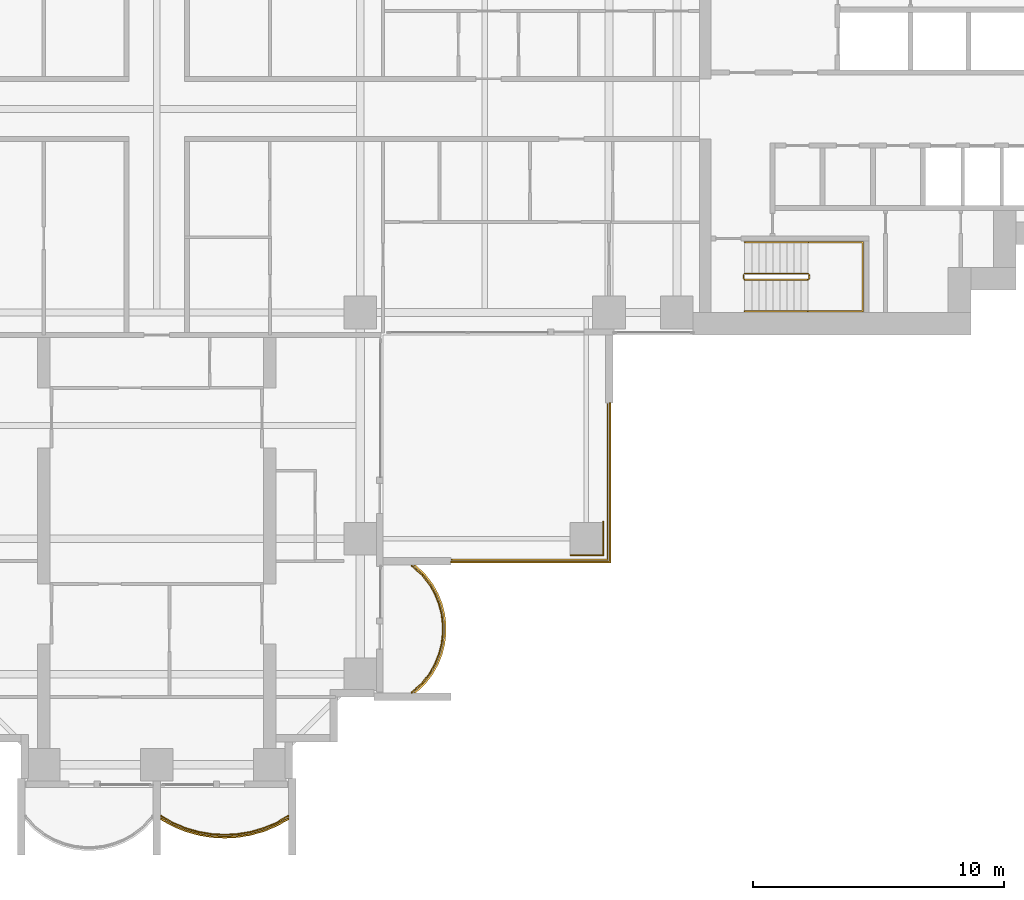
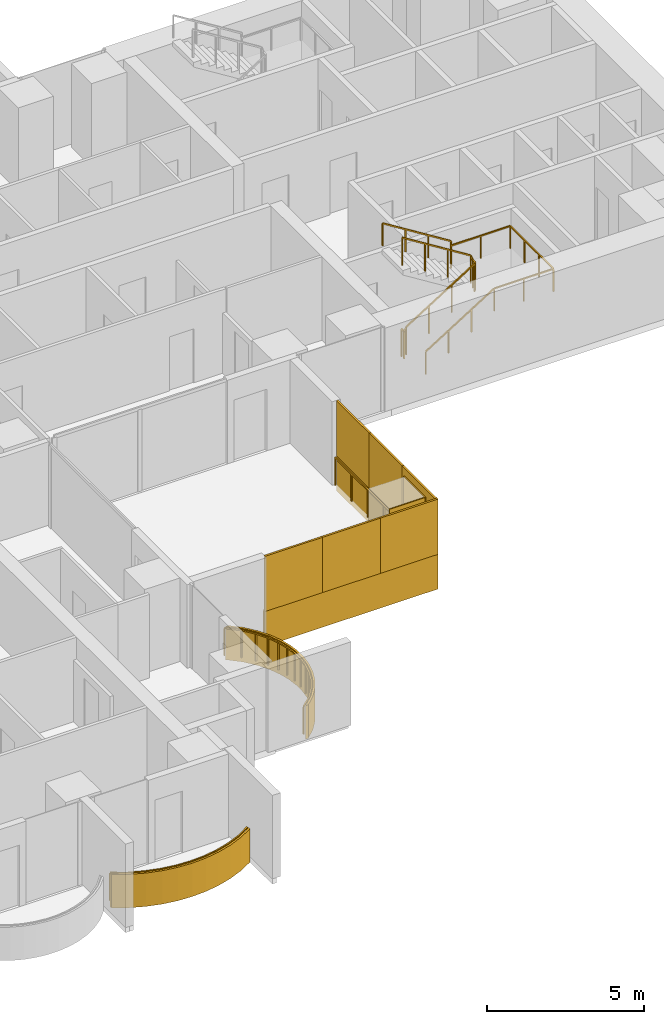
# One storey, part 18 of 20: 11 coverings, 5 railings.
"""IFC4 building model written with IfcOpenShell, lengths in metres."""

from ifc_helpers import new_model, si_unit, direction, frame, origin, origin_2d, place, context, subcontext, project, spatial, polyline, rectangle, outline, extrude, material, layer, layer_set, type_object, element, save


model = new_model("IFC4")

# Units and contexts
model_context = context("Model", 3, precision=1e-05, world=origin(), true_north=direction((0.0, 1.0)))
body_context = subcontext(model_context, "Body", "Model", "MODEL_VIEW")
ifc_project = project(units=[si_unit("LENGTHUNIT", "METRE"), si_unit("AREAUNIT", "SQUARE_METRE"), si_unit("VOLUMEUNIT", "CUBIC_METRE"), si_unit("PLANEANGLEUNIT", "RADIAN"), si_unit("MASSUNIT", "GRAM", prefix="KILO")], contexts=[model_context])

# Site, building, storey
site_placement = place(None, origin())
site = spatial("IfcSite", under=ifc_project, at=site_placement, CompositionType="ELEMENT")
building_placement = place(site_placement, origin())
building = spatial("IfcBuilding", under=site, at=building_placement, Name="Perihelion Cross Residences", CompositionType="ELEMENT")
storey_placement = place(building_placement, frame((0.0, 0.0, 78.5)))
storey = spatial("IfcBuildingStorey", under=building, at=storey_placement, Name="L17", CompositionType="ELEMENT", Elevation=78.5)

# Coverings
ifc_material_1 = material(Name="Bronze anodised aluminium", Category="aluminium")
ifc_layer_1 = layer(ifc_material_1, 0.070068359375)
ifc_layer_set_1 = layer_set([ifc_layer_1], Name="Balcony fascia 1300")
covering_type_1 = type_object("IfcCoveringType", Name="Balcony fascia 1300", PredefinedType="CLADDING", material=ifc_layer_set_1)
covering_1_placement = place(storey_placement, frame((0.0, 0.0, -0.199951171875)))
element("IfcCovering", 1, at=covering_1_placement, inside=storey, type_object=covering_type_1, Name="Fascia BF1 L17 south tip south bay 2", PredefinedType="CLADDING", context=body_context, shape_type="SweptSolid", body=[
    extrude(outline(polyline([(0.629638671875, -28.54833984375), (1.147216796875, -28.7607421875), (1.664794921875, -28.906494140625), (2.182373046875, -28.991943359375), (2.699951171875, -29.02001953125), (3.217529296875, -28.991943359375), (3.735107421875, -28.906494140625), (4.2529296875, -28.7607421875), (4.7705078125, -28.54833984375), (5.25, -28.2802734375), (5.25, -28.199951171875), (4.739990234375, -28.4853515625), (4.22998046875, -28.694580078125), (3.719970703125, -28.838134765625), (3.2099609375, -28.92236328125), (2.699951171875, -28.949951171875), (2.18994140625, -28.92236328125), (1.679931640625, -28.838134765625), (1.169921875, -28.694580078125), (0.659912109375, -28.4853515625), (0.14990234375, -28.199951171875), (0.14990234375, -28.2802734375), (0.629638671875, -28.54833984375)])), origin(), (0.0, 0.0, 1.0), 1.300048828125),
])
covering_2_placement = place(storey_placement, frame((0.0, 0.0, -0.199951171875)))
element("IfcCovering", 2, at=covering_2_placement, inside=storey, type_object=covering_type_1, Name="Fascia BF1 L17 south side east bay 1", PredefinedType="CLADDING", context=body_context, shape_type="SweptSolid", body=[
    extrude(outline(polyline([(10.674072265625, -22.90478515625), (10.982666015625, -22.50390625), (11.20654296875, -22.10302734375), (11.364013671875, -21.7021484375), (11.464599609375, -21.30126953125), (11.513916015625, -20.900390625), (11.513916015625, -20.49951171875), (11.464599609375, -20.0986328125), (11.364013671875, -19.69775390625), (11.20654296875, -19.296875), (10.982666015625, -18.89599609375), (10.674072265625, -18.4951171875), (10.302734375, -18.14990234375), (10.199951171875, -18.14990234375), (10.622314453125, -18.542236328125), (10.924072265625, -18.9345703125), (11.143310546875, -19.326904296875), (11.29736328125, -19.71923828125), (11.39599609375, -20.111572265625), (11.444091796875, -20.50390625), (11.444091796875, -20.896240234375), (11.39599609375, -21.28857421875), (11.29736328125, -21.6806640625), (11.143310546875, -22.072998046875), (10.924072265625, -22.46533203125), (10.622314453125, -22.857666015625), (10.199951171875, -23.25), (10.302734375, -23.25), (10.674072265625, -22.90478515625)])), origin(), (0.0, 0.0, 1.0), 1.300048828125),
])

# Railings
ifc_material_2 = material(Name="Bronze anodised aluminium", Category="aluminium")
railing_type_1 = type_object("IfcRailingType", Name="Balcony guard 1100", PredefinedType="GUARDRAIL", material=ifc_material_2)
railing_1_placement = place(storey_placement, frame((0.175048828125, -28.139892578125, 0.0)))
element("IfcRailing", 3, at=railing_1_placement, inside=storey, type_object=railing_type_1, Name="Guard GU1 L17 south tip south bay 2 balcony", PredefinedType="GUARDRAIL", context=body_context, shape_type="SweptSolid", body=[
    extrude(rectangle(XDim=0.048095703125, YDim=0.048095703125, at=origin_2d()), frame((0.0, 0.0, 1.076171875), z_axis=(0.861789164031, -0.507266632806, 0.0), x_axis=(0.507266632806, 0.861789164031, 0.0)), (0.0, 0.0, 1.0), 0.562744140625),
    extrude(rectangle(XDim=0.048095703125, YDim=0.048095703125, at=origin_2d()), frame((0.48486328125, -0.285400390625, 1.076171875), z_axis=(0.925172605972, -0.379546636342, 0.0), x_axis=(0.379546636342, 0.925172605972, 0.0)), (0.0, 0.0, 1.0), 0.55126953125),
    extrude(rectangle(XDim=0.048095703125, YDim=0.048095703125, at=origin_2d()), frame((0.994873046875, -0.49462890625, 1.076171875), z_axis=(0.962474364231, -0.271372618732, 0.0), x_axis=(0.271372618732, 0.962474364231, 0.0)), (0.0, 0.0, 1.0), 0.52978515625),
    extrude(rectangle(XDim=0.048095703125, YDim=0.048095703125, at=origin_2d()), frame((1.5048828125, -0.638427734375, 1.076171875), z_axis=(0.986711211531, -0.162483799314, 0.0), x_axis=(0.162483799314, 0.986711211531, 0.0)), (0.0, 0.0, 1.0), 0.516845703125),
    extrude(rectangle(XDim=0.048095703125, YDim=0.048095703125, at=origin_2d()), frame((2.014892578125, -0.722412109375, 1.076171875), z_axis=(0.998540183677, -0.05401390175, 0.0), x_axis=(0.05401390175, 0.998540183677, 0.0)), (0.0, 0.0, 1.0), 0.5107421875),
    extrude(rectangle(XDim=0.048095703125, YDim=0.048095703125, at=origin_2d()), frame((2.52490234375, -0.75, 1.076171875), z_axis=(0.998540183677, 0.05401390175, 0.0), x_axis=(-0.05401390175, 0.998540183677, 0.0)), (0.0, 0.0, 1.0), 0.5107421875),
    extrude(rectangle(XDim=0.048095703125, YDim=0.048095703125, at=origin_2d()), frame((3.034912109375, -0.722412109375, 1.076171875), z_axis=(0.986711211531, 0.162483799314, 0.0), x_axis=(-0.162483799314, 0.986711211531, 0.0)), (0.0, 0.0, 1.0), 0.516845703125),
    extrude(rectangle(XDim=0.048095703125, YDim=0.048095703125, at=origin_2d()), frame((3.544921875, -0.638427734375, 1.076171875), z_axis=(0.962474364231, 0.271372618732, 0.0), x_axis=(-0.271372618732, 0.962474364231, 0.0)), (0.0, 0.0, 1.0), 0.52978515625),
    extrude(rectangle(XDim=0.048095703125, YDim=0.048095703125, at=origin_2d()), frame((4.054931640625, -0.49462890625, 1.076171875), z_axis=(0.925172605972, 0.379546636342, 0.0), x_axis=(-0.379546636342, 0.925172605972, 0.0)), (0.0, 0.0, 1.0), 0.55126953125),
    extrude(rectangle(XDim=0.048095703125, YDim=0.048095703125, at=origin_2d()), frame((4.56494140625, -0.285400390625, 1.076171875), z_axis=(0.861900760591, 0.507076995033, 0.0), x_axis=(-0.507076995033, 0.861900760591, 0.0)), (0.0, 0.0, 1.0), 0.562744140625),
    extrude(rectangle(XDim=0.0419921875, YDim=0.0419921875, at=origin_2d()), origin(), (0.0, 0.0, 1.0), 1.052001953125),
    extrude(rectangle(XDim=0.0419921875, YDim=0.0419921875, at=origin_2d()), frame((0.48486328125, -0.285400390625, 0.0)), (0.0, 0.0, 1.0), 1.052001953125),
    extrude(rectangle(XDim=0.0419921875, YDim=0.0419921875, at=origin_2d()), frame((0.994873046875, -0.49462890625, 0.0)), (0.0, 0.0, 1.0), 1.052001953125),
    extrude(rectangle(XDim=0.0419921875, YDim=0.0419921875, at=origin_2d()), frame((1.5048828125, -0.638427734375, 0.0)), (0.0, 0.0, 1.0), 1.052001953125),
    extrude(rectangle(XDim=0.0419921875, YDim=0.0419921875, at=origin_2d()), frame((2.014892578125, -0.722412109375, 0.0)), (0.0, 0.0, 1.0), 1.052001953125),
    extrude(rectangle(XDim=0.0419921875, YDim=0.0419921875, at=origin_2d()), frame((2.52490234375, -0.75, 0.0)), (0.0, 0.0, 1.0), 1.052001953125),
    extrude(rectangle(XDim=0.0419921875, YDim=0.0419921875, at=origin_2d()), frame((3.034912109375, -0.722412109375, 0.0)), (0.0, 0.0, 1.0), 1.052001953125),
    extrude(rectangle(XDim=0.0419921875, YDim=0.0419921875, at=origin_2d()), frame((3.544921875, -0.638427734375, 0.0)), (0.0, 0.0, 1.0), 1.052001953125),
    extrude(rectangle(XDim=0.0419921875, YDim=0.0419921875, at=origin_2d()), frame((4.054931640625, -0.49462890625, 0.0)), (0.0, 0.0, 1.0), 1.052001953125),
    extrude(rectangle(XDim=0.0419921875, YDim=0.0419921875, at=origin_2d()), frame((4.56494140625, -0.285400390625, 0.0)), (0.0, 0.0, 1.0), 1.052001953125),
    extrude(rectangle(XDim=0.0419921875, YDim=0.0419921875, at=origin_2d()), frame((5.050048828125, 0.0, 0.0)), (0.0, 0.0, 1.0), 1.052001953125),
])
railing_2_placement = place(storey_placement, frame((10.139892578125, -23.22509765625, 0.0)))
element("IfcRailing", 4, at=railing_2_placement, inside=storey, type_object=railing_type_1, Name="Guard GU1 L17 south side east bay 1 balcony", PredefinedType="GUARDRAIL", context=body_context, shape_type="SweptSolid", body=[
    extrude(rectangle(XDim=0.048095703125, YDim=0.048095703125, at=origin_2d()), frame((0.0, 0.0, 1.076171875), z_axis=(0.754464673757, 0.656340655493, 0.0), x_axis=(-0.656340655493, 0.754464673757, 0.0)), (0.0, 0.0, 1.0), 0.559814453125),
    extrude(rectangle(XDim=0.048095703125, YDim=0.048095703125, at=origin_2d()), frame((0.42236328125, 0.367431640625, 1.076171875), z_axis=(0.60966308455, 0.792660660899, 0.0), x_axis=(-0.792660660899, 0.60966308455, 0.0)), (0.0, 0.0, 1.0), 0.494873046875),
    extrude(rectangle(XDim=0.048095703125, YDim=0.048095703125, at=origin_2d()), frame((0.72412109375, 0.759765625, 1.076171875), z_axis=(0.487809182674, 0.872950285698, 0.0), x_axis=(-0.872950285698, 0.487809182674, 0.0)), (0.0, 0.0, 1.0), 0.449462890625),
    extrude(rectangle(XDim=0.048095703125, YDim=0.048095703125, at=origin_2d()), frame((0.943359375, 1.152099609375, 1.076171875), z_axis=(0.365491079925, 0.930814842219, 0.0), x_axis=(-0.930814842219, 0.365491079925, 0.0)), (0.0, 0.0, 1.0), 0.42138671875),
    extrude(rectangle(XDim=0.048095703125, YDim=0.048095703125, at=origin_2d()), frame((1.097412109375, 1.54443359375, 1.076171875), z_axis=(0.243956193074, 0.969786252666, 0.0), x_axis=(-0.969786252666, 0.243956193074, 0.0)), (0.0, 0.0, 1.0), 0.404296875),
    extrude(rectangle(XDim=0.048095703125, YDim=0.048095703125, at=origin_2d()), frame((1.196044921875, 1.9365234375, 1.076171875), z_axis=(0.121677797999, 0.992569651699, 0.0), x_axis=(-0.992569651699, 0.121677797999, 0.0)), (0.0, 0.0, 1.0), 0.395263671875),
    extrude(rectangle(XDim=0.048095703125, YDim=0.048095703125, at=origin_2d()), frame((1.244140625, 2.328857421875, 1.076171875), z_axis=(0.0, 1.0, 0.0), x_axis=(-1.0, 0.0, 0.0)), (0.0, 0.0, 1.0), 0.392333984375),
    extrude(rectangle(XDim=0.048095703125, YDim=0.048095703125, at=origin_2d()), frame((1.244140625, 2.72119140625, 1.076171875), z_axis=(-0.121677797999, 0.992569651699, 0.0), x_axis=(-0.992569651699, -0.121677797999, 0.0)), (0.0, 0.0, 1.0), 0.395263671875),
    extrude(rectangle(XDim=0.048095703125, YDim=0.048095703125, at=origin_2d()), frame((1.196044921875, 3.113525390625, 1.076171875), z_axis=(-0.243813411509, 0.969822159145, 0.0), x_axis=(-0.969822159145, -0.243813411509, 0.0)), (0.0, 0.0, 1.0), 0.404541015625),
    extrude(rectangle(XDim=0.048095703125, YDim=0.048095703125, at=origin_2d()), frame((1.097412109375, 3.505859375, 1.076171875), z_axis=(-0.365491079925, 0.930814842219, 0.0), x_axis=(-0.930814842219, -0.365491079925, 0.0)), (0.0, 0.0, 1.0), 0.42138671875),
    extrude(rectangle(XDim=0.048095703125, YDim=0.048095703125, at=origin_2d()), frame((0.943359375, 3.898193359375, 1.076171875), z_axis=(-0.487809182674, 0.872950285698, 0.0), x_axis=(-0.872950285698, -0.487809182674, 0.0)), (0.0, 0.0, 1.0), 0.449462890625),
    extrude(rectangle(XDim=0.048095703125, YDim=0.048095703125, at=origin_2d()), frame((0.72412109375, 4.29052734375, 1.076171875), z_axis=(-0.60966308455, 0.792660660899, 0.0), x_axis=(-0.792660660899, -0.60966308455, 0.0)), (0.0, 0.0, 1.0), 0.494873046875),
    extrude(rectangle(XDim=0.048095703125, YDim=0.048095703125, at=origin_2d()), frame((0.42236328125, 4.682861328125, 1.076171875), z_axis=(-0.754680648599, 0.656092309534, 0.0), x_axis=(-0.656092309534, -0.754680648599, 0.0)), (0.0, 0.0, 1.0), 0.5595703125),
    extrude(rectangle(XDim=0.0419921875, YDim=0.0419921875, at=origin_2d()), origin(), (0.0, 0.0, 1.0), 1.052001953125),
    extrude(rectangle(XDim=0.0419921875, YDim=0.0419921875, at=origin_2d()), frame((0.42236328125, 0.367431640625, 0.0)), (0.0, 0.0, 1.0), 1.052001953125),
    extrude(rectangle(XDim=0.0419921875, YDim=0.0419921875, at=origin_2d()), frame((0.72412109375, 0.759765625, 0.0)), (0.0, 0.0, 1.0), 1.052001953125),
    extrude(rectangle(XDim=0.0419921875, YDim=0.0419921875, at=origin_2d()), frame((0.943359375, 1.152099609375, 0.0)), (0.0, 0.0, 1.0), 1.052001953125),
    extrude(rectangle(XDim=0.0419921875, YDim=0.0419921875, at=origin_2d()), frame((1.097412109375, 1.54443359375, 0.0)), (0.0, 0.0, 1.0), 1.052001953125),
    extrude(rectangle(XDim=0.0419921875, YDim=0.0419921875, at=origin_2d()), frame((1.196044921875, 1.9365234375, 0.0)), (0.0, 0.0, 1.0), 1.052001953125),
    extrude(rectangle(XDim=0.0419921875, YDim=0.0419921875, at=origin_2d()), frame((1.244140625, 2.328857421875, 0.0)), (0.0, 0.0, 1.0), 1.052001953125),
    extrude(rectangle(XDim=0.0419921875, YDim=0.0419921875, at=origin_2d()), frame((1.244140625, 2.72119140625, 0.0)), (0.0, 0.0, 1.0), 1.052001953125),
    extrude(rectangle(XDim=0.0419921875, YDim=0.0419921875, at=origin_2d()), frame((1.196044921875, 3.113525390625, 0.0)), (0.0, 0.0, 1.0), 1.052001953125),
    extrude(rectangle(XDim=0.0419921875, YDim=0.0419921875, at=origin_2d()), frame((1.097412109375, 3.505859375, 0.0)), (0.0, 0.0, 1.0), 1.052001953125),
    extrude(rectangle(XDim=0.0419921875, YDim=0.0419921875, at=origin_2d()), frame((0.943359375, 3.898193359375, 0.0)), (0.0, 0.0, 1.0), 1.052001953125),
    extrude(rectangle(XDim=0.0419921875, YDim=0.0419921875, at=origin_2d()), frame((0.72412109375, 4.29052734375, 0.0)), (0.0, 0.0, 1.0), 1.052001953125),
    extrude(rectangle(XDim=0.0419921875, YDim=0.0419921875, at=origin_2d()), frame((0.42236328125, 4.682861328125, 0.0)), (0.0, 0.0, 1.0), 1.052001953125),
    extrude(rectangle(XDim=0.0419921875, YDim=0.0419921875, at=origin_2d()), frame((0.0, 5.050048828125, 0.0)), (0.0, 0.0, 1.0), 1.052001953125),
])
railing_3_placement = place(storey_placement, frame((17.93994140625, -11.739990234375, 0.0)))
element("IfcRailing", 5, at=railing_3_placement, inside=storey, type_object=railing_type_1, Name="Guard GU1 L17 pocket south-east 1", PredefinedType="GUARDRAIL", context=body_context, shape_type="SweptSolid", body=[
    extrude(rectangle(XDim=0.048095703125, YDim=0.048095703125, at=origin_2d()), frame((0.0, 0.0, 1.076171875), z_axis=(0.0, -1.0, 0.0), x_axis=(1.0, 0.0, 0.0)), (0.0, 0.0, 1.0), 6.199951171875),
    extrude(rectangle(XDim=0.048095703125, YDim=0.048095703125, at=origin_2d()), frame((0.0, -6.199951171875, 1.076171875), z_axis=(-1.0, 0.0, 0.0), x_axis=(0.0, -1.0, 0.0)), (0.0, 0.0, 1.0), 6.199951171875),
    extrude(rectangle(XDim=0.0419921875, YDim=0.0419921875, at=origin_2d()), origin(), (0.0, 0.0, 1.0), 1.052001953125),
    extrude(rectangle(XDim=0.0419921875, YDim=0.0419921875, at=origin_2d()), frame((0.0, -1.033203125, 0.0)), (0.0, 0.0, 1.0), 1.052001953125),
    extrude(rectangle(XDim=0.0419921875, YDim=0.0419921875, at=origin_2d()), frame((0.0, -2.066650390625, 0.0)), (0.0, 0.0, 1.0), 1.052001953125),
    extrude(rectangle(XDim=0.0419921875, YDim=0.0419921875, at=origin_2d()), frame((0.0, -3.10009765625, 0.0)), (0.0, 0.0, 1.0), 1.052001953125),
    extrude(rectangle(XDim=0.0419921875, YDim=0.0419921875, at=origin_2d()), frame((0.0, -4.13330078125, 0.0)), (0.0, 0.0, 1.0), 1.052001953125),
    extrude(rectangle(XDim=0.0419921875, YDim=0.0419921875, at=origin_2d()), frame((0.0, -5.16650390625, 0.0)), (0.0, 0.0, 1.0), 1.052001953125),
    extrude(rectangle(XDim=0.0419921875, YDim=0.0419921875, at=origin_2d()), frame((0.0, -6.199951171875, 0.0)), (0.0, 0.0, 1.0), 1.052001953125),
    extrude(rectangle(XDim=0.0419921875, YDim=0.0419921875, at=origin_2d()), frame((-1.033203125, -6.199951171875, 0.0)), (0.0, 0.0, 1.0), 1.052001953125),
    extrude(rectangle(XDim=0.0419921875, YDim=0.0419921875, at=origin_2d()), frame((-2.066650390625, -6.199951171875, 0.0)), (0.0, 0.0, 1.0), 1.052001953125),
    extrude(rectangle(XDim=0.0419921875, YDim=0.0419921875, at=origin_2d()), frame((-3.10009765625, -6.199951171875, 0.0)), (0.0, 0.0, 1.0), 1.052001953125),
    extrude(rectangle(XDim=0.0419921875, YDim=0.0419921875, at=origin_2d()), frame((-4.13330078125, -6.199951171875, 0.0)), (0.0, 0.0, 1.0), 1.052001953125),
    extrude(rectangle(XDim=0.0419921875, YDim=0.0419921875, at=origin_2d()), frame((-5.16650390625, -6.199951171875, 0.0)), (0.0, 0.0, 1.0), 1.052001953125),
    extrude(rectangle(XDim=0.0419921875, YDim=0.0419921875, at=origin_2d()), frame((-6.199951171875, -6.199951171875, 0.0)), (0.0, 0.0, 1.0), 1.052001953125),
])

# Coverings
ifc_material_3 = material(Name="Bronze anodised aluminium", Category="aluminium")
ifc_layer_2 = layer(ifc_material_3, 0.0400390625)
ifc_layer_set_2 = layer_set([ifc_layer_2], Name="Bronze column casing 40")
covering_type_2 = type_object("IfcCoveringType", Name="Bronze column casing 40", PredefinedType="CLADDING", material=ifc_layer_set_2)
covering_3_placement = place(storey_placement, frame((17.77001953125, -17.10009765625, -0.25), z_axis=(0.0, 0.0, 1.0), x_axis=(1.0, 0.0, 0.0)))
element("IfcCovering", 6, at=covering_3_placement, inside=storey, type_object=covering_type_2, Name="Cladding CC1 L17 casing east-west no. 3", PredefinedType="CLADDING", context=body_context, shape_type="SweptSolid", body=[
    extrude(rectangle(XDim=0.0400390625, YDim=1.3798828125, at=origin_2d()), origin(), (0.0, 0.0, 1.0), 3.5),
])
covering_4_placement = place(storey_placement, frame((17.10009765625, -17.77001953125, -0.25), z_axis=(0.0, 0.0, 1.0), x_axis=(1.0, 0.0, 0.0)))
element("IfcCovering", 7, at=covering_4_placement, inside=storey, type_object=covering_type_2, Name="Cladding CC1 L17 casing north-south no. 3", PredefinedType="CLADDING", context=body_context, shape_type="SweptSolid", body=[
    extrude(rectangle(XDim=1.300048828125, YDim=0.0400390625, at=origin_2d()), origin(), (0.0, 0.0, 1.0), 3.5),
])
ifc_material_4 = material(Name="Bronze anodised aluminium", Category="aluminium")
ifc_layer_3 = layer(ifc_material_4, 0.070068359375)
ifc_layer_set_3 = layer_set([ifc_layer_3], Name="Pocket fascia 1350")
covering_type_3 = type_object("IfcCoveringType", Name="Pocket fascia 1350", PredefinedType="CLADDING", material=ifc_layer_set_3)
covering_5_placement = place(storey_placement, frame((0.0, 0.0, -0.25)))
element("IfcCovering", 8, at=covering_5_placement, inside=storey, type_object=covering_type_3, Name="Fascia BF2 L17 pocket south-east 3", PredefinedType="CLADDING", context=body_context, shape_type="SweptSolid", body=[
    extrude(outline(polyline([(18.070068359375, -18.070068359375), (18.070068359375, -11.699951171875), (18.0, -11.699951171875), (18.0, -18.0), (11.699951171875, -18.0), (11.699951171875, -18.070068359375), (18.070068359375, -18.070068359375)])), origin(), (0.0, 0.0, 1.0), 1.35009765625),
])
ifc_material_5 = material(Name="Bronze perforated aluminium", Category="aluminium")
ifc_layer_4 = layer(ifc_material_5, 0.070068359375)
ifc_layer_set_4 = layer_set([ifc_layer_4], Name="Pocket solar screen, bronze perforated")
covering_type_4 = type_object("IfcCoveringType", Name="Pocket solar screen, bronze perforated", PredefinedType="CLADDING", material=ifc_layer_set_4)
covering_6_placement = place(storey_placement, frame((0.0, 0.0, 1.10009765625)))
element("IfcCovering", 9, at=covering_6_placement, inside=storey, type_object=covering_type_4, Name="Solar screen PS1 L17 pocket south-east no. 1", PredefinedType="CLADDING", context=body_context, shape_type="SweptSolid", body=[
    extrude(outline(polyline([(18.070068359375, -18.0), (18.070068359375, -15.89990234375), (18.0, -15.89990234375), (18.0, -18.0), (18.070068359375, -18.0)])), origin(), (0.0, 0.0, 1.0), 2.14990234375),
])
covering_7_placement = place(storey_placement, frame((0.0, 0.0, 1.10009765625)))
element("IfcCovering", 10, at=covering_7_placement, inside=storey, type_object=covering_type_4, Name="Solar screen PS1 L17 pocket south-east no. 2", PredefinedType="CLADDING", context=body_context, shape_type="SweptSolid", body=[
    extrude(outline(polyline([(18.070068359375, -15.89990234375), (18.070068359375, -13.800048828125), (18.0, -13.800048828125), (18.0, -15.89990234375), (18.070068359375, -15.89990234375)])), origin(), (0.0, 0.0, 1.0), 2.14990234375),
])
covering_8_placement = place(storey_placement, frame((0.0, 0.0, 1.10009765625)))
element("IfcCovering", 11, at=covering_8_placement, inside=storey, type_object=covering_type_4, Name="Solar screen PS1 L17 pocket south-east no. 3", PredefinedType="CLADDING", context=body_context, shape_type="SweptSolid", body=[
    extrude(outline(polyline([(18.070068359375, -13.800048828125), (18.070068359375, -11.699951171875), (18.0, -11.699951171875), (18.0, -13.800048828125), (18.070068359375, -13.800048828125)])), origin(), (0.0, 0.0, 1.0), 2.14990234375),
])
covering_9_placement = place(storey_placement, frame((0.0, 0.0, 1.10009765625)))
element("IfcCovering", 12, at=covering_9_placement, inside=storey, type_object=covering_type_4, Name="Solar screen PS1 L17 pocket south-east no. 4", PredefinedType="CLADDING", context=body_context, shape_type="SweptSolid", body=[
    extrude(outline(polyline([(13.8232421875, -18.070068359375), (13.8232421875, -18.0), (11.699951171875, -18.0), (11.699951171875, -18.070068359375), (13.8232421875, -18.070068359375)])), origin(), (0.0, 0.0, 1.0), 2.14990234375),
])
covering_10_placement = place(storey_placement, frame((0.0, 0.0, 1.10009765625)))
element("IfcCovering", 13, at=covering_10_placement, inside=storey, type_object=covering_type_4, Name="Solar screen PS1 L17 pocket south-east no. 5", PredefinedType="CLADDING", context=body_context, shape_type="SweptSolid", body=[
    extrude(outline(polyline([(15.94677734375, -18.070068359375), (15.94677734375, -18.0), (13.8232421875, -18.0), (13.8232421875, -18.070068359375), (15.94677734375, -18.070068359375)])), origin(), (0.0, 0.0, 1.0), 2.14990234375),
])
covering_11_placement = place(storey_placement, frame((0.0, 0.0, 1.10009765625)))
element("IfcCovering", 14, at=covering_11_placement, inside=storey, type_object=covering_type_4, Name="Solar screen PS1 L17 pocket south-east no. 6", PredefinedType="CLADDING", context=body_context, shape_type="SweptSolid", body=[
    extrude(outline(polyline([(18.070068359375, -18.070068359375), (18.070068359375, -18.0), (15.94677734375, -18.0), (15.94677734375, -18.070068359375), (18.070068359375, -18.070068359375)])), origin(), (0.0, 0.0, 1.0), 2.14990234375),
])

# Railings
ifc_material_6 = material(Name="Stainless steel", Category="steel")
railing_type_2 = type_object("IfcRailingType", Name="Stair guard 1100", PredefinedType="GUARDRAIL", material=ifc_material_6)
railing_4_placement = place(storey_placement, frame((23.35009765625, -6.60009765625, 0.0)))
element("IfcRailing", 15, at=railing_4_placement, inside=storey, type_object=railing_type_2, Name="L17 ST-E2 stair guard 1", PredefinedType="GUARDRAIL", context=body_context, shape_type="SweptSolid", body=[
    extrude(rectangle(XDim=0.048095703125, YDim=0.048095703125, at=origin_2d()), frame((0.0, 0.0, 1.076171875), z_axis=(0.0, -1.0, 0.0), x_axis=(1.0, 0.0, 0.0)), (0.0, 0.0, 1.0), 0.14990234375),
    extrude(rectangle(XDim=0.048095703125, YDim=0.048095703125, at=origin_2d()), frame((0.0, -0.14990234375, 1.076171875), z_axis=(0.263862480399, -0.265155923931, 0.927399011991), x_axis=(0.708833529934, 0.705375805398, 0.0)), (0.0, 0.0, 1.0), 0.188720703125),
    extrude(rectangle(XDim=0.048095703125, YDim=0.048095703125, at=origin_2d()), frame((0.0498046875, -0.199951171875, 1.2509765625), z_axis=(0.848007534815, 0.0, 0.529984170421), x_axis=(0.0, 1.0, 0.0)), (0.0, 0.0, 1.0), 2.9716796875),
    extrude(rectangle(XDim=0.048095703125, YDim=0.048095703125, at=origin_2d()), frame((2.56982421875, -0.199951171875, 2.826171875), z_axis=(0.707106781187, 0.707106781187, 0.0), x_axis=(-0.707106781187, 0.707106781187, 0.0)), (0.0, 0.0, 1.0), 0.07080078125),
    extrude(rectangle(XDim=0.048095703125, YDim=0.048095703125, at=origin_2d()), frame((2.619873046875, -0.14990234375, 2.826171875), z_axis=(0.0, 1.0, 0.0), x_axis=(-1.0, 0.0, 0.0)), (0.0, 0.0, 1.0), 0.14990234375),
    extrude(rectangle(XDim=0.048095703125, YDim=0.048095703125, at=origin_2d()), frame((2.619873046875, 0.0, 2.826171875), z_axis=(-0.265065253269, 0.265065253269, 0.927081885822), x_axis=(-0.707106781187, -0.707106781187, 0.0)), (0.0, 0.0, 1.0), 0.188720703125),
    extrude(rectangle(XDim=0.048095703125, YDim=0.048095703125, at=origin_2d()), frame((2.56982421875, 0.050048828125, 3.0009765625), z_axis=(-0.848007534815, 0.0, 0.529984170421), x_axis=(0.0, -1.0, 0.0)), (0.0, 0.0, 1.0), 2.9716796875),
    extrude(rectangle(XDim=0.0419921875, YDim=0.0419921875, at=origin_2d()), origin(), (0.0, 0.0, 1.0), 1.052001953125),
    extrude(rectangle(XDim=0.0419921875, YDim=0.0419921875, at=origin_2d()), frame((0.0, -0.14990234375, 0.0)), (0.0, 0.0, 1.0), 1.052001953125),
    extrude(rectangle(XDim=0.0419921875, YDim=0.0419921875, at=origin_2d()), frame((0.0498046875, -0.199951171875, 0.175048828125)), (0.0, 0.0, 1.0), 1.052001953125),
    extrude(rectangle(XDim=0.0419921875, YDim=0.0419921875, at=origin_2d()), frame((0.889892578125, -0.199951171875, 0.699951171875)), (0.0, 0.0, 1.0), 1.052001953125),
    extrude(rectangle(XDim=0.0419921875, YDim=0.0419921875, at=origin_2d()), frame((1.729736328125, -0.199951171875, 1.22509765625)), (0.0, 0.0, 1.0), 1.052001953125),
    extrude(rectangle(XDim=0.0419921875, YDim=0.0419921875, at=origin_2d()), frame((2.56982421875, -0.199951171875, 1.75)), (0.0, 0.0, 1.0), 1.052001953125),
    extrude(rectangle(XDim=0.0419921875, YDim=0.0419921875, at=origin_2d()), frame((2.619873046875, -0.14990234375, 1.75)), (0.0, 0.0, 1.0), 1.052001953125),
    extrude(rectangle(XDim=0.0419921875, YDim=0.0419921875, at=origin_2d()), frame((2.619873046875, 0.0, 1.75)), (0.0, 0.0, 1.0), 1.052001953125),
    extrude(rectangle(XDim=0.0419921875, YDim=0.0419921875, at=origin_2d()), frame((2.56982421875, 0.050048828125, 1.925048828125)), (0.0, 0.0, 1.0), 1.052001953125),
    extrude(rectangle(XDim=0.0419921875, YDim=0.0419921875, at=origin_2d()), frame((1.729736328125, 0.050048828125, 2.449951171875)), (0.0, 0.0, 1.0), 1.052001953125),
    extrude(rectangle(XDim=0.0419921875, YDim=0.0419921875, at=origin_2d()), frame((0.889892578125, 0.050048828125, 2.97509765625)), (0.0, 0.0, 1.0), 1.052001953125),
    extrude(rectangle(XDim=0.0419921875, YDim=0.0419921875, at=origin_2d()), frame((0.0498046875, 0.050048828125, 3.5)), (0.0, 0.0, 1.0), 1.052001953125),
])
ifc_material_7 = material(Name="Stainless steel", Category="steel")
railing_type_3 = type_object("IfcRailingType", Name="Stair handrail 900", PredefinedType="HANDRAIL", material=ifc_material_7)
railing_5_placement = place(storey_placement, frame((23.39990234375, -8.050048828125, 0.175048828125)))
element("IfcRailing", 16, at=railing_5_placement, inside=storey, type_object=railing_type_3, Name="L17 ST-E2 stair handrail 1", PredefinedType="HANDRAIL", context=body_context, shape_type="SweptSolid", body=[
    extrude(rectangle(XDim=0.048095703125, YDim=0.048095703125, at=origin_2d()), frame((0.0, 0.0, 0.8759765625), z_axis=(0.848007534815, 0.0, 0.529984170421), x_axis=(0.0, 1.0, 0.0)), (0.0, 0.0, 1.0), 2.9716796875),
    extrude(rectangle(XDim=0.048095703125, YDim=0.048095703125, at=origin_2d()), frame((2.52001953125, 0.0, 2.45068359375), z_axis=(1.0, 0.0, 0.0), x_axis=(0.0, 1.0, 0.0)), (0.0, 0.0, 1.0), 2.18017578125),
    extrude(rectangle(XDim=0.048095703125, YDim=0.048095703125, at=origin_2d()), frame((4.7001953125, 0.0, 2.45068359375), z_axis=(0.0, 1.0, 0.0), x_axis=(-1.0, 0.0, 0.0)), (0.0, 0.0, 1.0), 2.75),
    extrude(rectangle(XDim=0.048095703125, YDim=0.048095703125, at=origin_2d()), frame((4.7001953125, 2.75, 2.45068359375), z_axis=(-1.0, 0.0, 0.0), x_axis=(0.0, -1.0, 0.0)), (0.0, 0.0, 1.0), 2.18017578125),
    extrude(rectangle(XDim=0.048095703125, YDim=0.048095703125, at=origin_2d()), frame((2.52001953125, 2.75, 2.45068359375), z_axis=(0.0, 0.0, 1.0), x_axis=(1.0, 0.0, 0.0)), (0.0, 0.0, 1.0), 0.175048828125),
    extrude(rectangle(XDim=0.048095703125, YDim=0.048095703125, at=origin_2d()), frame((2.52001953125, 2.75, 2.6259765625), z_axis=(-0.848007534815, 0.0, 0.529984170421), x_axis=(0.0, -1.0, 0.0)), (0.0, 0.0, 1.0), 2.9716796875),
    extrude(rectangle(XDim=0.0419921875, YDim=0.0419921875, at=origin_2d()), origin(), (0.0, 0.0, 1.0), 0.851806640625),
    extrude(rectangle(XDim=0.0419921875, YDim=0.0419921875, at=origin_2d()), frame((0.840087890625, 0.0, 0.52490234375)), (0.0, 0.0, 1.0), 0.851806640625),
    extrude(rectangle(XDim=0.0419921875, YDim=0.0419921875, at=origin_2d()), frame((1.679931640625, 0.0, 1.050048828125)), (0.0, 0.0, 1.0), 0.851806640625),
    extrude(rectangle(XDim=0.0419921875, YDim=0.0419921875, at=origin_2d()), frame((2.52001953125, 0.0, 1.574951171875)), (0.0, 0.0, 1.0), 0.851806640625),
    extrude(rectangle(XDim=0.0419921875, YDim=0.0419921875, at=origin_2d()), frame((3.610107421875, 0.0, 1.574951171875)), (0.0, 0.0, 1.0), 0.851806640625),
    extrude(rectangle(XDim=0.0419921875, YDim=0.0419921875, at=origin_2d()), frame((4.7001953125, 0.0, 1.574951171875)), (0.0, 0.0, 1.0), 0.851806640625),
    extrude(rectangle(XDim=0.0419921875, YDim=0.0419921875, at=origin_2d()), frame((4.7001953125, 0.916748046875, 1.574951171875)), (0.0, 0.0, 1.0), 0.851806640625),
    extrude(rectangle(XDim=0.0419921875, YDim=0.0419921875, at=origin_2d()), frame((4.7001953125, 1.833251953125, 1.574951171875)), (0.0, 0.0, 1.0), 0.851806640625),
    extrude(rectangle(XDim=0.0419921875, YDim=0.0419921875, at=origin_2d()), frame((4.7001953125, 2.75, 1.574951171875)), (0.0, 0.0, 1.0), 0.851806640625),
    extrude(rectangle(XDim=0.0419921875, YDim=0.0419921875, at=origin_2d()), frame((3.610107421875, 2.75, 1.574951171875)), (0.0, 0.0, 1.0), 0.851806640625),
    extrude(rectangle(XDim=0.0419921875, YDim=0.0419921875, at=origin_2d()), frame((2.52001953125, 2.75, 1.574951171875)), (0.0, 0.0, 1.0), 0.851806640625),
    extrude(rectangle(XDim=0.0419921875, YDim=0.0419921875, at=origin_2d()), frame((2.52001953125, 2.75, 1.75)), (0.0, 0.0, 1.0), 0.851806640625),
    extrude(rectangle(XDim=0.0419921875, YDim=0.0419921875, at=origin_2d()), frame((1.679931640625, 2.75, 2.27490234375)), (0.0, 0.0, 1.0), 0.851806640625),
    extrude(rectangle(XDim=0.0419921875, YDim=0.0419921875, at=origin_2d()), frame((0.840087890625, 2.75, 2.800048828125)), (0.0, 0.0, 1.0), 0.851806640625),
    extrude(rectangle(XDim=0.0419921875, YDim=0.0419921875, at=origin_2d()), frame((0.0, 2.75, 3.324951171875)), (0.0, 0.0, 1.0), 0.851806640625),
])

save(model, "model.ifc")
